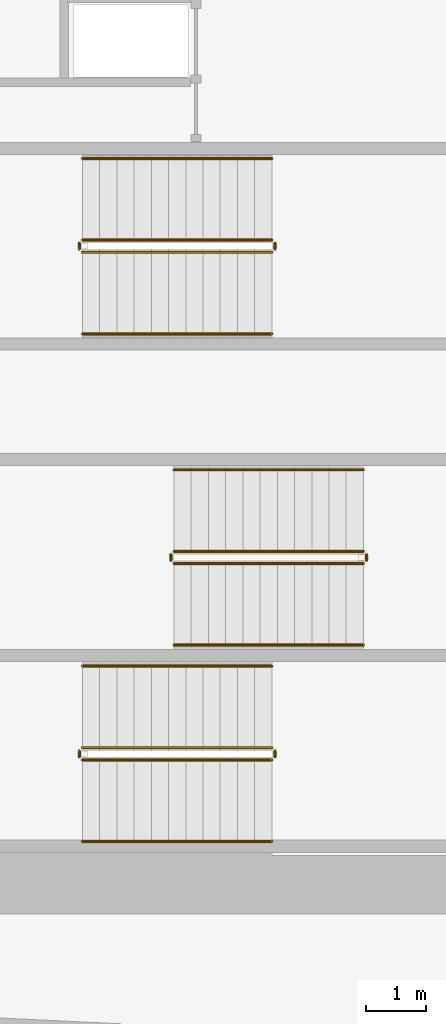
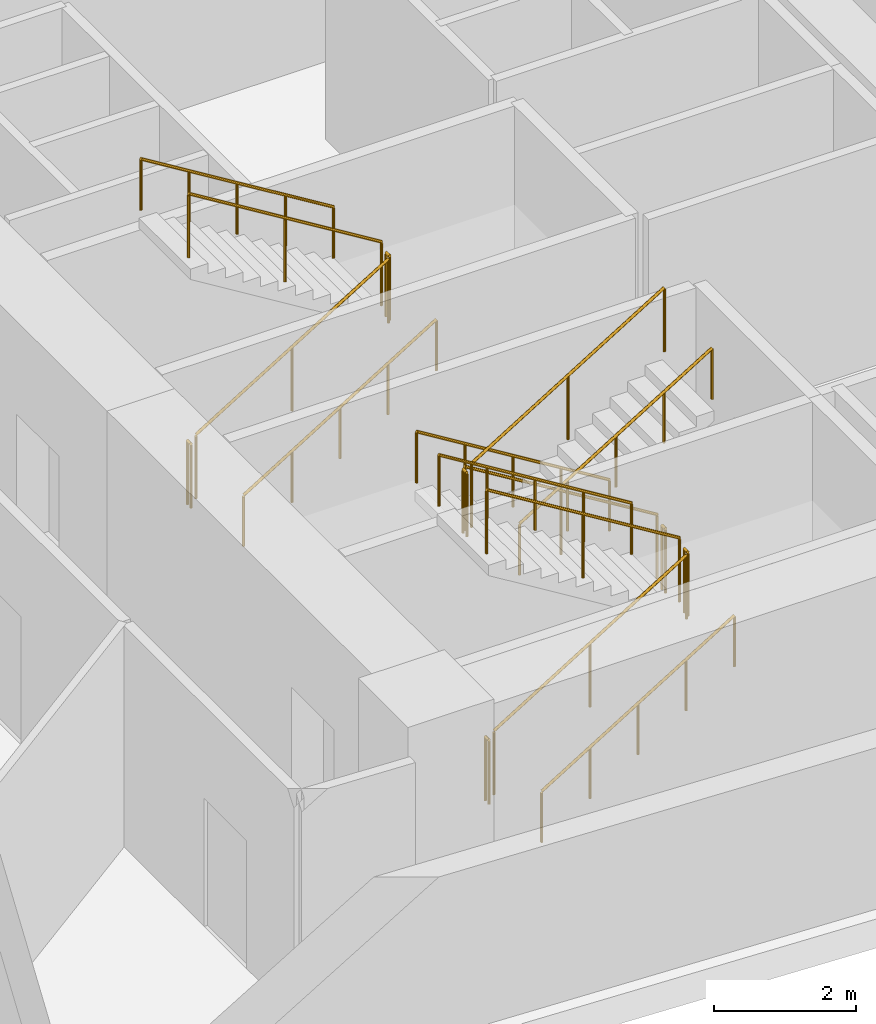
# One storey, part 17 of 18: 18 railings.
"""IFC4 building model written with IfcOpenShell, lengths in metres."""

from ifc_helpers import new_model, si_unit, direction, frame, origin, origin_2d, place, context, subcontext, project, spatial, circle, extrude, material, type_object, element, save


model = new_model("IFC4")

# Units and contexts
model_context = context("Model", 3, precision=1e-05, world=origin(), true_north=direction((0.0, 1.0)))
body_context = subcontext(model_context, "Body", "Model", "MODEL_VIEW")
ifc_project = project(units=[si_unit("LENGTHUNIT", "METRE"), si_unit("AREAUNIT", "SQUARE_METRE"), si_unit("VOLUMEUNIT", "CUBIC_METRE"), si_unit("PLANEANGLEUNIT", "RADIAN"), si_unit("MASSUNIT", "GRAM", prefix="KILO")], contexts=[model_context])

# Site, building, storey
site_placement = place(None, origin())
site = spatial("IfcSite", under=ifc_project, at=site_placement, CompositionType="ELEMENT")
building_placement = place(site_placement, origin())
building = spatial("IfcBuilding", under=site, at=building_placement, Name="Narakoshi Arena Tower", CompositionType="ELEMENT")
storey_placement = place(building_placement, frame((0.0, 0.0, 59.10009765625)))
storey = spatial("IfcBuildingStorey", under=building, at=storey_placement, Name="L15", CompositionType="ELEMENT", Elevation=59.10009765625)

# Railings
ifc_material_1 = material(Name="Clear low-iron laminated structural glass", Category="glass")
railing_type_1 = type_object("IfcRailingType", Name="RL-BAL-1100", PredefinedType="BALUSTRADE", material=ifc_material_1)
railing_1_placement = place(storey_placement, frame((74.39990234375, 36.949951171875, 0.1748046875)))
element("IfcRailing", 1, at=railing_1_placement, inside=storey, type_object=railing_type_1, Name="L15 ST1 stair guard 1", PredefinedType="BALUSTRADE", context=body_context, shape_type="SweptSolid", body=[
    extrude(circle(Radius=0.02392578125, at=origin_2d()), frame((0.0, 0.0, 1.09619140625), z_axis=(0.852166034122, 0.0, 0.523271488128), x_axis=(0.0, 1.0, 0.0)), (0.0, 0.0, 1.0), 3.678955078125),
    extrude(circle(Radius=0.02099609375, at=origin_2d()), origin(), (0.0, 0.0, 1.0), 1.072021484375),
    extrude(circle(Radius=0.02099609375, at=origin_2d()), frame((1.5673828125, 0.0, 0.96240234375)), (0.0, 0.0, 1.0), 1.072021484375),
    extrude(circle(Radius=0.02099609375, at=origin_2d()), frame((3.135009765625, 0.0, 1.925048828125)), (0.0, 0.0, 1.0), 1.072021484375),
])
railing_2_placement = place(storey_placement, frame((77.5849609375, 37.0, 2.099853515625)))
element("IfcRailing", 2, at=railing_2_placement, inside=storey, type_object=railing_type_1, Name="L15 ST1 stair guard 2", PredefinedType="BALUSTRADE", context=body_context, shape_type="SweptSolid", body=[
    extrude(circle(Radius=0.02392578125, at=origin_2d()), frame((0.0, 0.0, 1.09619140625), z_axis=(0.0, 1.0, 0.0), x_axis=(-1.0, 0.0, 0.0)), (0.0, 0.0, 1.0), 0.10009765625),
    extrude(circle(Radius=0.02099609375, at=origin_2d()), origin(), (0.0, 0.0, 1.0), 1.072021484375),
    extrude(circle(Radius=0.02099609375, at=origin_2d()), frame((0.0, 0.10009765625, 0.0)), (0.0, 0.0, 1.0), 1.072021484375),
])
railing_3_placement = place(storey_placement, frame((77.534912109375, 37.14990234375, 2.27490234375)))
element("IfcRailing", 3, at=railing_3_placement, inside=storey, type_object=railing_type_1, Name="L15 ST1 stair guard 3", PredefinedType="BALUSTRADE", context=body_context, shape_type="SweptSolid", body=[
    extrude(circle(Radius=0.02392578125, at=origin_2d()), frame((0.0, 0.0, 1.09619140625), z_axis=(-0.852166034122, 0.0, 0.523271488128), x_axis=(0.0, -1.0, 0.0)), (0.0, 0.0, 1.0), 3.678955078125),
    extrude(circle(Radius=0.02099609375, at=origin_2d()), origin(), (0.0, 0.0, 1.0), 1.072021484375),
    extrude(circle(Radius=0.02099609375, at=origin_2d()), frame((-1.5673828125, 0.0, 0.96240234375)), (0.0, 0.0, 1.0), 1.072021484375),
    extrude(circle(Radius=0.02099609375, at=origin_2d()), frame((-3.135009765625, 0.0, 1.925048828125)), (0.0, 0.0, 1.0), 1.072021484375),
])
railing_4_placement = place(storey_placement, frame((74.35009765625, 37.0, 0.0)))
element("IfcRailing", 4, at=railing_4_placement, inside=storey, type_object=railing_type_1, Name="L15 ST1 stair guard 4", PredefinedType="BALUSTRADE", context=body_context, shape_type="SweptSolid", body=[
    extrude(circle(Radius=0.02392578125, at=origin_2d()), frame((0.0, 0.0, 1.09619140625), z_axis=(0.0, 1.0, 0.0), x_axis=(-1.0, 0.0, 0.0)), (0.0, 0.0, 1.0), 0.10009765625),
    extrude(circle(Radius=0.02099609375, at=origin_2d()), origin(), (0.0, 0.0, 1.0), 1.072021484375),
    extrude(circle(Radius=0.02099609375, at=origin_2d()), frame((0.0, 0.10009765625, 0.0)), (0.0, 0.0, 1.0), 1.072021484375),
])
railing_5_placement = place(storey_placement, frame((79.050048828125, 40.39990234375, 0.1748046875)))
element("IfcRailing", 5, at=railing_5_placement, inside=storey, type_object=railing_type_1, Name="L15 ST2 stair guard 1", PredefinedType="BALUSTRADE", context=body_context, shape_type="SweptSolid", body=[
    extrude(circle(Radius=0.02392578125, at=origin_2d()), frame((0.0, 0.0, 1.09619140625), z_axis=(-0.852166034122, 0.0, 0.523271488128), x_axis=(0.0, -1.0, 0.0)), (0.0, 0.0, 1.0), 3.678955078125),
    extrude(circle(Radius=0.02099609375, at=origin_2d()), origin(), (0.0, 0.0, 1.0), 1.072021484375),
    extrude(circle(Radius=0.02099609375, at=origin_2d()), frame((-1.5673828125, 0.0, 0.96240234375)), (0.0, 0.0, 1.0), 1.072021484375),
    extrude(circle(Radius=0.02099609375, at=origin_2d()), frame((-3.135009765625, 0.0, 1.925048828125)), (0.0, 0.0, 1.0), 1.072021484375),
])
railing_6_placement = place(storey_placement, frame((75.864990234375, 40.35009765625, 2.099853515625)))
element("IfcRailing", 6, at=railing_6_placement, inside=storey, type_object=railing_type_1, Name="L15 ST2 stair guard 2", PredefinedType="BALUSTRADE", context=body_context, shape_type="SweptSolid", body=[
    extrude(circle(Radius=0.02392578125, at=origin_2d()), frame((0.0, 0.0, 1.09619140625), z_axis=(0.0, -1.0, 0.0), x_axis=(1.0, 0.0, 0.0)), (0.0, 0.0, 1.0), 0.10009765625),
    extrude(circle(Radius=0.02099609375, at=origin_2d()), origin(), (0.0, 0.0, 1.0), 1.072021484375),
    extrude(circle(Radius=0.02099609375, at=origin_2d()), frame((0.0, -0.10009765625, 0.0)), (0.0, 0.0, 1.0), 1.072021484375),
])
railing_7_placement = place(storey_placement, frame((75.9150390625, 40.199951171875, 2.27490234375)))
element("IfcRailing", 7, at=railing_7_placement, inside=storey, type_object=railing_type_1, Name="L15 ST2 stair guard 3", PredefinedType="BALUSTRADE", context=body_context, shape_type="SweptSolid", body=[
    extrude(circle(Radius=0.02392578125, at=origin_2d()), frame((0.0, 0.0, 1.09619140625), z_axis=(0.852166034122, 0.0, 0.523271488128), x_axis=(0.0, 1.0, 0.0)), (0.0, 0.0, 1.0), 3.678955078125),
    extrude(circle(Radius=0.02099609375, at=origin_2d()), origin(), (0.0, 0.0, 1.0), 1.072021484375),
    extrude(circle(Radius=0.02099609375, at=origin_2d()), frame((1.5673828125, 0.0, 0.96240234375)), (0.0, 0.0, 1.0), 1.072021484375),
    extrude(circle(Radius=0.02099609375, at=origin_2d()), frame((3.135009765625, 0.0, 1.925048828125)), (0.0, 0.0, 1.0), 1.072021484375),
])
railing_8_placement = place(storey_placement, frame((79.10009765625, 40.35009765625, 0.0)))
element("IfcRailing", 8, at=railing_8_placement, inside=storey, type_object=railing_type_1, Name="L15 ST2 stair guard 4", PredefinedType="BALUSTRADE", context=body_context, shape_type="SweptSolid", body=[
    extrude(circle(Radius=0.02392578125, at=origin_2d()), frame((0.0, 0.0, 1.09619140625), z_axis=(0.0, -1.0, 0.0), x_axis=(1.0, 0.0, 0.0)), (0.0, 0.0, 1.0), 0.10009765625),
    extrude(circle(Radius=0.02099609375, at=origin_2d()), origin(), (0.0, 0.0, 1.0), 1.072021484375),
    extrude(circle(Radius=0.02099609375, at=origin_2d()), frame((0.0, -0.10009765625, 0.0)), (0.0, 0.0, 1.0), 1.072021484375),
])
railing_9_placement = place(storey_placement, frame((74.39990234375, 45.35009765625, 0.1748046875)))
element("IfcRailing", 9, at=railing_9_placement, inside=storey, type_object=railing_type_1, Name="L15 ST3 stair guard 1", PredefinedType="BALUSTRADE", context=body_context, shape_type="SweptSolid", body=[
    extrude(circle(Radius=0.02392578125, at=origin_2d()), frame((0.0, 0.0, 1.09619140625), z_axis=(0.852166034122, 0.0, 0.523271488128), x_axis=(0.0, 1.0, 0.0)), (0.0, 0.0, 1.0), 3.678955078125),
    extrude(circle(Radius=0.02099609375, at=origin_2d()), origin(), (0.0, 0.0, 1.0), 1.072021484375),
    extrude(circle(Radius=0.02099609375, at=origin_2d()), frame((1.5673828125, 0.0, 0.96240234375)), (0.0, 0.0, 1.0), 1.072021484375),
    extrude(circle(Radius=0.02099609375, at=origin_2d()), frame((3.135009765625, 0.0, 1.925048828125)), (0.0, 0.0, 1.0), 1.072021484375),
])
railing_10_placement = place(storey_placement, frame((77.5849609375, 45.39990234375, 2.099853515625)))
element("IfcRailing", 10, at=railing_10_placement, inside=storey, type_object=railing_type_1, Name="L15 ST3 stair guard 2", PredefinedType="BALUSTRADE", context=body_context, shape_type="SweptSolid", body=[
    extrude(circle(Radius=0.02392578125, at=origin_2d()), frame((0.0, 0.0, 1.09619140625), z_axis=(0.0, 1.0, 0.0), x_axis=(-1.0, 0.0, 0.0)), (0.0, 0.0, 1.0), 0.10009765625),
    extrude(circle(Radius=0.02099609375, at=origin_2d()), origin(), (0.0, 0.0, 1.0), 1.072021484375),
    extrude(circle(Radius=0.02099609375, at=origin_2d()), frame((0.0, 0.10009765625, 0.0)), (0.0, 0.0, 1.0), 1.072021484375),
])
railing_11_placement = place(storey_placement, frame((77.534912109375, 45.550048828125, 2.27490234375)))
element("IfcRailing", 11, at=railing_11_placement, inside=storey, type_object=railing_type_1, Name="L15 ST3 stair guard 3", PredefinedType="BALUSTRADE", context=body_context, shape_type="SweptSolid", body=[
    extrude(circle(Radius=0.02392578125, at=origin_2d()), frame((0.0, 0.0, 1.09619140625), z_axis=(-0.852166034122, 0.0, 0.523271488128), x_axis=(0.0, -1.0, 0.0)), (0.0, 0.0, 1.0), 3.678955078125),
    extrude(circle(Radius=0.02099609375, at=origin_2d()), origin(), (0.0, 0.0, 1.0), 1.072021484375),
    extrude(circle(Radius=0.02099609375, at=origin_2d()), frame((-1.5673828125, 0.0, 0.96240234375)), (0.0, 0.0, 1.0), 1.072021484375),
    extrude(circle(Radius=0.02099609375, at=origin_2d()), frame((-3.135009765625, 0.0, 1.925048828125)), (0.0, 0.0, 1.0), 1.072021484375),
])
railing_12_placement = place(storey_placement, frame((74.35009765625, 45.39990234375, 0.0)))
element("IfcRailing", 12, at=railing_12_placement, inside=storey, type_object=railing_type_1, Name="L15 ST3 stair guard 4", PredefinedType="BALUSTRADE", context=body_context, shape_type="SweptSolid", body=[
    extrude(circle(Radius=0.02392578125, at=origin_2d()), frame((0.0, 0.0, 1.09619140625), z_axis=(0.0, 1.0, 0.0), x_axis=(-1.0, 0.0, 0.0)), (0.0, 0.0, 1.0), 0.10009765625),
    extrude(circle(Radius=0.02099609375, at=origin_2d()), origin(), (0.0, 0.0, 1.0), 1.072021484375),
    extrude(circle(Radius=0.02099609375, at=origin_2d()), frame((0.0, 0.10009765625, 0.0)), (0.0, 0.0, 1.0), 1.072021484375),
])
ifc_material_2 = material(Name="Brushed bronze stainless steel", Category="steel")
railing_type_2 = type_object("IfcRailingType", Name="RL-HND-900", PredefinedType="HANDRAIL", material=ifc_material_2)
railing_13_placement = place(storey_placement, frame((74.39990234375, 35.60009765625, 0.1748046875)))
element("IfcRailing", 13, at=railing_13_placement, inside=storey, type_object=railing_type_2, Name="L15 ST1 stair handrail 1", PredefinedType="HANDRAIL", context=body_context, shape_type="SweptSolid", body=[
    extrude(circle(Radius=0.02392578125, at=origin_2d()), frame((0.0, 0.0, 0.8759765625), z_axis=(0.852166034122, 0.0, 0.523271488128), x_axis=(0.0, 1.0, 0.0)), (0.0, 0.0, 1.0), 3.678955078125),
    extrude(circle(Radius=0.02099609375, at=origin_2d()), origin(), (0.0, 0.0, 1.0), 0.851806640625),
    extrude(circle(Radius=0.02099609375, at=origin_2d()), frame((0.78369140625, 0.0, 0.481201171875)), (0.0, 0.0, 1.0), 0.851806640625),
    extrude(circle(Radius=0.02099609375, at=origin_2d()), frame((1.5673828125, 0.0, 0.96240234375)), (0.0, 0.0, 1.0), 0.851806640625),
    extrude(circle(Radius=0.02099609375, at=origin_2d()), frame((2.351318359375, 0.0, 1.44384765625)), (0.0, 0.0, 1.0), 0.851806640625),
    extrude(circle(Radius=0.02099609375, at=origin_2d()), frame((3.135009765625, 0.0, 1.925048828125)), (0.0, 0.0, 1.0), 0.851806640625),
])
for number, where, name in (
    (14, (77.534912109375, 38.5, 2.27490234375), "L15 ST1 stair handrail 2"),
    (15, (79.050048828125, 41.75, 0.1748046875), "L15 ST2 stair handrail 1"),
):
    element("IfcRailing", number, at=place(storey_placement, frame(where)), inside=storey, type_object=railing_type_2, Name=name, PredefinedType="HANDRAIL", context=body_context, shape_type="SweptSolid", body=[
        extrude(circle(Radius=0.02392578125, at=origin_2d()), frame((0.0, 0.0, 0.8759765625), z_axis=(-0.852166034122, 0.0, 0.523271488128), x_axis=(0.0, -1.0, 0.0)), (0.0, 0.0, 1.0), 3.678955078125),
        extrude(circle(Radius=0.02099609375, at=origin_2d()), origin(), (0.0, 0.0, 1.0), 0.851806640625),
        extrude(circle(Radius=0.02099609375, at=origin_2d()), frame((-0.78369140625, 0.0, 0.481201171875)), (0.0, 0.0, 1.0), 0.851806640625),
        extrude(circle(Radius=0.02099609375, at=origin_2d()), frame((-1.5673828125, 0.0, 0.96240234375)), (0.0, 0.0, 1.0), 0.851806640625),
        extrude(circle(Radius=0.02099609375, at=origin_2d()), frame((-2.351318359375, 0.0, 1.44384765625)), (0.0, 0.0, 1.0), 0.851806640625),
        extrude(circle(Radius=0.02099609375, at=origin_2d()), frame((-3.135009765625, 0.0, 1.925048828125)), (0.0, 0.0, 1.0), 0.851806640625),
    ])
for number, where, name in (
    (16, (75.9150390625, 38.85009765625, 2.27490234375), "L15 ST2 stair handrail 2"),
    (17, (74.39990234375, 44.0, 0.1748046875), "L15 ST3 stair handrail 1"),
):
    element("IfcRailing", number, at=place(storey_placement, frame(where)), inside=storey, type_object=railing_type_2, Name=name, PredefinedType="HANDRAIL", context=body_context, shape_type="SweptSolid", body=[
        extrude(circle(Radius=0.02392578125, at=origin_2d()), frame((0.0, 0.0, 0.8759765625), z_axis=(0.852166034122, 0.0, 0.523271488128), x_axis=(0.0, 1.0, 0.0)), (0.0, 0.0, 1.0), 3.678955078125),
        extrude(circle(Radius=0.02099609375, at=origin_2d()), origin(), (0.0, 0.0, 1.0), 0.851806640625),
        extrude(circle(Radius=0.02099609375, at=origin_2d()), frame((0.78369140625, 0.0, 0.481201171875)), (0.0, 0.0, 1.0), 0.851806640625),
        extrude(circle(Radius=0.02099609375, at=origin_2d()), frame((1.5673828125, 0.0, 0.96240234375)), (0.0, 0.0, 1.0), 0.851806640625),
        extrude(circle(Radius=0.02099609375, at=origin_2d()), frame((2.351318359375, 0.0, 1.44384765625)), (0.0, 0.0, 1.0), 0.851806640625),
        extrude(circle(Radius=0.02099609375, at=origin_2d()), frame((3.135009765625, 0.0, 1.925048828125)), (0.0, 0.0, 1.0), 0.851806640625),
    ])
railing_14_placement = place(storey_placement, frame((77.534912109375, 46.89990234375, 2.27490234375)))
element("IfcRailing", 18, at=railing_14_placement, inside=storey, type_object=railing_type_2, Name="L15 ST3 stair handrail 2", PredefinedType="HANDRAIL", context=body_context, shape_type="SweptSolid", body=[
    extrude(circle(Radius=0.02392578125, at=origin_2d()), frame((0.0, 0.0, 0.8759765625), z_axis=(-0.852166034122, 0.0, 0.523271488128), x_axis=(0.0, -1.0, 0.0)), (0.0, 0.0, 1.0), 3.678955078125),
    extrude(circle(Radius=0.02099609375, at=origin_2d()), origin(), (0.0, 0.0, 1.0), 0.851806640625),
    extrude(circle(Radius=0.02099609375, at=origin_2d()), frame((-0.78369140625, 0.0, 0.481201171875)), (0.0, 0.0, 1.0), 0.851806640625),
    extrude(circle(Radius=0.02099609375, at=origin_2d()), frame((-1.5673828125, 0.0, 0.96240234375)), (0.0, 0.0, 1.0), 0.851806640625),
    extrude(circle(Radius=0.02099609375, at=origin_2d()), frame((-2.351318359375, 0.0, 1.44384765625)), (0.0, 0.0, 1.0), 0.851806640625),
    extrude(circle(Radius=0.02099609375, at=origin_2d()), frame((-3.135009765625, 0.0, 1.925048828125)), (0.0, 0.0, 1.0), 0.851806640625),
])

save(model, "model.ifc")
